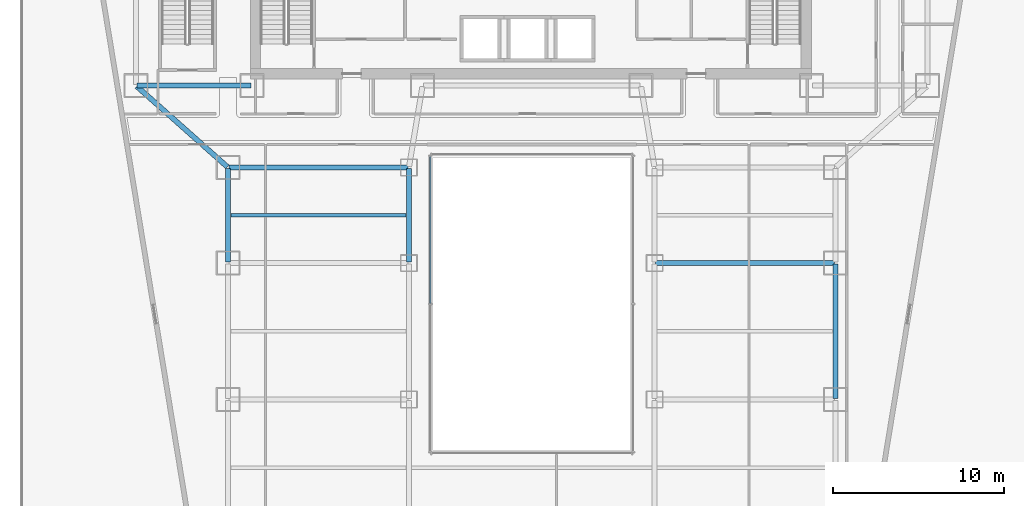
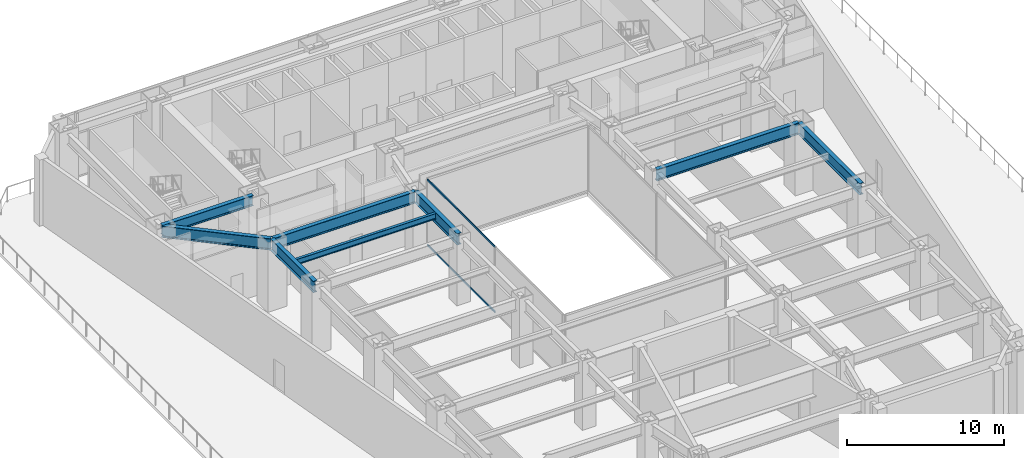
# One storey, part 11 of 29: 8 beams, 2 members, 1 element without a shape of its own.
"""IFC4 building model written with IfcOpenShell, lengths in metres."""

from ifc_helpers import new_model, si_unit, direction, frame, origin, origin_2d, place, context, subcontext, project, spatial, hollow_rectangle, i_section, extrude, material, material_profile, profile_set, type_object, element, aggregate, save


model = new_model("IFC4")

# Units and contexts
model_context = context("Model", 3, precision=1e-05, world=origin(), true_north=direction((0.0, 1.0)))
body_context = subcontext(model_context, "Body", "Model", "MODEL_VIEW")
ifc_project = project(units=[si_unit("LENGTHUNIT", "METRE"), si_unit("AREAUNIT", "SQUARE_METRE"), si_unit("VOLUMEUNIT", "CUBIC_METRE"), si_unit("PLANEANGLEUNIT", "RADIAN"), si_unit("MASSUNIT", "GRAM", prefix="KILO")], contexts=[model_context])

# Site, building, storey
site_placement = place(None, origin())
site = spatial("IfcSite", under=ifc_project, at=site_placement, CompositionType="ELEMENT")
building_placement = place(site_placement, origin())
building = spatial("IfcBuilding", under=site, at=building_placement, Name="Saevonmaru Cultural Tower", CompositionType="ELEMENT")
storey_placement = place(building_placement, frame((0.0, 0.0, 27.60009765625)))
storey = spatial("IfcBuildingStorey", under=building, at=storey_placement, Name="L05", CompositionType="ELEMENT", Elevation=27.60009765625)

# Beams
ifc_material_1 = material(Name="Steel SM420", Category="steel")
ifc_material_profile_1 = material_profile(ifc_material_1, i_section(OverallWidth=0.300048828125, OverallDepth=0.800048828125, WebThickness=0.013916015625, FlangeThickness=0.02587890625, FilletRadius=0.028076171875, at=origin_2d()), Name="H-800x300x14x26")
ifc_profile_set_1 = profile_set([ifc_material_profile_1], Name="Steel SM420")
beam_type_1 = type_object("IfcBeamType", Name="BM-G-H800", PredefinedType="BEAM", material=ifc_profile_set_1)
beam_1_placement = place(storey_placement, frame((6.860107421875, 42.39990234375, 4.75), z_axis=(1.0, 0.0, 0.0), x_axis=(0.0, 1.0, 0.0)))
element("IfcBeam", 1, at=beam_1_placement, inside=storey, type_object=beam_type_1, Name="L05 Core South Girder 1", PredefinedType="BEAM", context=body_context, shape_type="SweptSolid", body=[
    extrude(i_section(OverallWidth=0.300048828125, OverallDepth=0.800048828125, WebThickness=0.013916015625, FlangeThickness=0.02587890625, FilletRadius=0.028076171875, at=origin_2d()), origin(), (0.0, 0.0, 1.0), 6.679931640625),
])
ifc_material_profile_2 = material_profile(ifc_material_1, i_section(OverallWidth=0.300048828125, OverallDepth=0.89990234375, WebThickness=0.01611328125, FlangeThickness=0.028076171875, FilletRadius=0.028076171875, at=origin_2d()), Name="H-900x300x16x28")
ifc_profile_set_2 = profile_set([ifc_material_profile_2], Name="Steel SM420")
beam_type_2 = type_object("IfcBeamType", Name="BM-G-H900", PredefinedType="BEAM", material=ifc_profile_set_2)
beam_2_placement = place(storey_placement, frame((12.199951171875, 32.06005859375, 4.699951171875), z_axis=(0.0, 1.0, 0.0), x_axis=(-1.0, 0.0, 0.0)))
element("IfcBeam", 2, at=beam_2_placement, inside=storey, type_object=beam_type_2, Name="L05 Podium Girder NS1-5", PredefinedType="BEAM", context=body_context, shape_type="SweptSolid", body=[
    extrude(i_section(OverallWidth=0.300048828125, OverallDepth=0.89990234375, WebThickness=0.01611328125, FlangeThickness=0.028076171875, FilletRadius=0.028076171875, at=origin_2d()), origin(), (0.0, 0.0, 1.0), 5.47998046875),
])
beam_3_placement = place(storey_placement, frame((12.1552734375, 37.639892578125, 4.699951171875), z_axis=(-0.74742827637, 0.664342510819, 0.0), x_axis=(-0.664342510819, -0.74742827637, 0.0)))
element("IfcBeam", 3, at=beam_3_placement, inside=storey, type_object=beam_type_2, Name="L05 Podium Girder NS1-6", PredefinedType="BEAM", context=body_context, shape_type="SweptSolid", body=[
    extrude(i_section(OverallWidth=0.300048828125, OverallDepth=0.89990234375, WebThickness=0.01611328125, FlangeThickness=0.028076171875, FilletRadius=0.028076171875, at=origin_2d()), origin(), (0.0, 0.0, 1.0), 7.10498046875),
])
beam_4_placement = place(storey_placement, frame((22.800048828125, 32.06005859375, 4.699951171875), z_axis=(0.0, 1.0, 0.0), x_axis=(-1.0, 0.0, 0.0)))
element("IfcBeam", 4, at=beam_4_placement, inside=storey, type_object=beam_type_2, Name="L05 Podium Girder NS2-5", PredefinedType="BEAM", context=body_context, shape_type="SweptSolid", body=[
    extrude(i_section(OverallWidth=0.300048828125, OverallDepth=0.89990234375, WebThickness=0.01611328125, FlangeThickness=0.028076171875, FilletRadius=0.028076171875, at=origin_2d()), origin(), (0.0, 0.0, 1.0), 5.47998046875),
])
beam_5_placement = place(storey_placement, frame((47.800048828125, 24.06005859375, 4.699951171875), z_axis=(0.0, 1.0, 0.0), x_axis=(-1.0, 0.0, 0.0)))
element("IfcBeam", 5, at=beam_5_placement, inside=storey, type_object=beam_type_2, Name="L05 Podium Girder NS4-4", PredefinedType="BEAM", context=body_context, shape_type="SweptSolid", body=[
    extrude(i_section(OverallWidth=0.300048828125, OverallDepth=0.89990234375, WebThickness=0.01611328125, FlangeThickness=0.028076171875, FilletRadius=0.028076171875, at=origin_2d()), origin(), (0.0, 0.0, 1.0), 7.8798828125),
])
for number, where, z_axis, x_axis, name in (
    (6, (37.260009765625, 32.0, 4.699951171875), (1.0, 0.0, 0.0), (0.0, 1.0, 0.0), "L05 Gallery Girder E-4"),
    (7, (12.260009765625, 37.60009765625, 4.699951171875), (1.0, 0.0, 0.0), (0.0, 1.0, 0.0), "L05 Gallery Girder W-5"),
):
    element("IfcBeam", number, at=place(storey_placement, frame(where, z_axis=z_axis, x_axis=x_axis)), inside=storey, type_object=beam_type_2, Name=name, PredefinedType="BEAM", context=body_context, shape_type="SweptSolid", body=[
        extrude(i_section(OverallWidth=0.300048828125, OverallDepth=0.89990234375, WebThickness=0.01611328125, FlangeThickness=0.028076171875, FilletRadius=0.028076171875, at=origin_2d()), origin(), (0.0, 0.0, 1.0), 10.47998046875),
    ])
ifc_material_2 = material(Name="Steel SM355", Category="steel")
ifc_material_profile_3 = material_profile(ifc_material_2, i_section(OverallWidth=0.199951171875, OverallDepth=0.449951171875, WebThickness=0.009033203125, FlangeThickness=0.013916015625, FilletRadius=0.01806640625, at=origin_2d()), Name="H-450x200x9x14")
ifc_profile_set_3 = profile_set([ifc_material_profile_3], Name="Steel SM355")
beam_type_3 = type_object("IfcBeamType", Name="BM-J-H450", PredefinedType="JOIST", material=ifc_profile_set_3)
beam_6_placement = place(storey_placement, frame((12.35791015625, 34.800048828125, 4.9248046875), z_axis=(1.0, 0.0, 0.0), x_axis=(0.0, 1.0, 0.0)))
element("IfcBeam", 8, at=beam_6_placement, inside=storey, type_object=beam_type_3, Name="L05 Secondary Floor Joist JW-4", PredefinedType="JOIST", context=body_context, shape_type="SweptSolid", body=[
    extrude(i_section(OverallWidth=0.199951171875, OverallDepth=0.449951171875, WebThickness=0.009033203125, FlangeThickness=0.013916015625, FilletRadius=0.01806640625, at=origin_2d()), origin(), (0.0, 0.0, 1.0), 10.2841796875),
])

# Curtain wall, members
ifc_material_3 = material(Name="Satin Bronze Anodised Aluminium", Category="aluminium")
curtain_wall_type = type_object("IfcCurtainWallType", Name="CW-ATR-GLZ", PredefinedType="NOTDEFINED", material=ifc_material_3)
curtain_wall_placement = place(storey_placement, origin())
curtain_wall = element("IfcCurtainWall", 9, at=curtain_wall_placement, inside=storey, type_object=curtain_wall_type, Name="L05 Vertical Atrium Glazed Smoke Screen 4", PredefinedType="NOTDEFINED")
ifc_material_profile_4 = material_profile(ifc_material_3, hollow_rectangle(XDim=0.06494140625, YDim=0.14990234375, WallThickness=0.00390625, at=origin_2d()), Name="ALU-TRAN-150x65x4")
ifc_profile_set_4 = profile_set([ifc_material_profile_4], Name="Satin Bronze Anodised Aluminium")
member_type = type_object("IfcMemberType", Name="TR-CW-INT-150x65", PredefinedType="USERDEFINED", material=ifc_profile_set_4)
member_1_placement = place(storey_placement, frame((24.050048828125, 38.257568359375, 0.032470703125), z_axis=(0.0, -1.0, 0.0), x_axis=(1.0, 0.0, 0.0)))
member_1 = element("IfcMember", 10, at=member_1_placement, type_object=member_type, Name="CW-ATR-L05-4 transom 1.1", ObjectType="TRANSOM", PredefinedType="USERDEFINED", context=body_context, shape_type="SweptSolid", body=[
    extrude(hollow_rectangle(XDim=0.06494140625, YDim=0.14990234375, WallThickness=0.00390625, at=origin_2d()), origin(), (0.0, 0.0, 1.0), 8.625),
])
member_2_placement = place(storey_placement, frame((24.050048828125, 38.257568359375, 5.117431640625), z_axis=(0.0, -1.0, 0.0), x_axis=(1.0, 0.0, 0.0)))
member_2 = element("IfcMember", 11, at=member_2_placement, type_object=member_type, Name="CW-ATR-L05-4 transom 1.2", ObjectType="TRANSOM", PredefinedType="USERDEFINED", context=body_context, shape_type="SweptSolid", body=[
    extrude(hollow_rectangle(XDim=0.06494140625, YDim=0.14990234375, WallThickness=0.00390625, at=origin_2d()), origin(), (0.0, 0.0, 1.0), 8.625),
])
aggregate(curtain_wall, [member_1, member_2])

save(model, "model.ifc")
